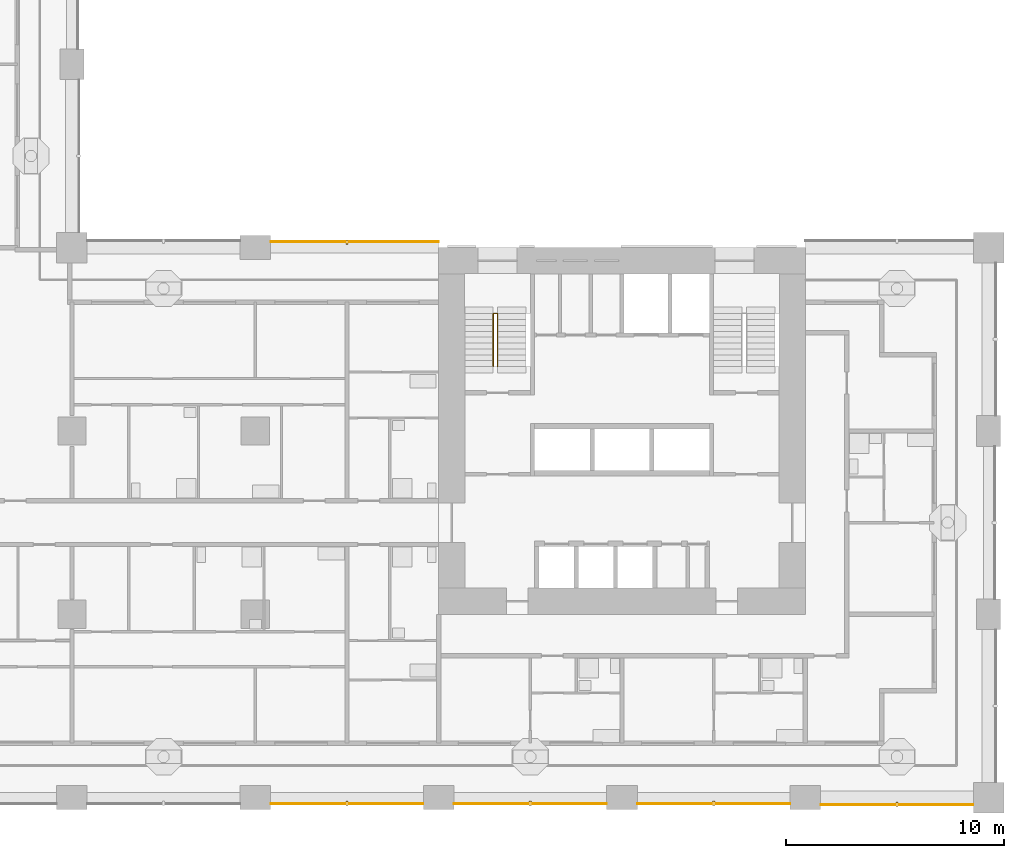
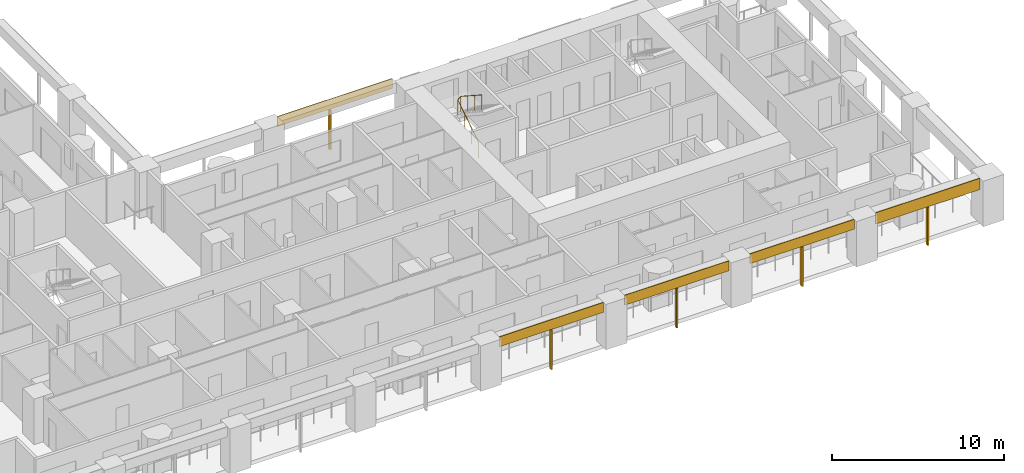
# One storey, part 13 of 22: 10 shading devices, 1 railing.
"""IFC4 building model written with IfcOpenShell, lengths in metres."""

import ifcopenshell
import ifcopenshell.guid

model = None  # the IFC model being written
_history = None  # IfcOwnerHistory: only IFC2X3 demands one
_inside = {}  # id of a spatial element -> (the spatial element, [elements in it])
_under = {}  # id of a project, library or spatial element -> (it, [spatial elements below it])
_declared = {}  # id of a project -> (the project, [libraries it declares])
_typed = {}  # id of a type object -> (the type object, [elements of that type])
_made_of = {}  # id of a material, layer set ... -> (it, [elements and type objects made of it])


def new_model(schema):
    """Start an empty IFC model of exactly this schema.

    Asked for "IFC4X3", IfcOpenShell would pick the latest addendum, in which some entities
    have other attributes; the version numbers below select the first issue.
    IFC2X3 requires an IfcOwnerHistory on every rooted entity: one is made here for all.
    """
    global model, _history
    if schema == "IFC4X3":
        model = ifcopenshell.file(schema_version=(4, 3, 0, 0))
    else:
        model = ifcopenshell.file(schema=schema)
    _inside.clear()
    _under.clear()
    _declared.clear()
    _typed.clear()
    _made_of.clear()
    _history = None
    if model.schema == "IFC2X3":
        org = make("IfcOrganization", Name="unknown")
        user = make(
            "IfcPersonAndOrganization",
            ThePerson=make("IfcPerson", FamilyName="unknown"),
            TheOrganization=org,
        )
        app = make(
            "IfcApplication",
            ApplicationDeveloper=org,
            Version="unknown",
            ApplicationFullName="unknown",
            ApplicationIdentifier="unknown",
        )
        _history = make(
            "IfcOwnerHistory",
            OwningUser=user,
            OwningApplication=app,
            ChangeAction="ADDED",
            CreationDate=0,
        )
    return model


def make(cls, **values):
    """One entity of the class cls with the attributes given. An attribute that is None is left unset."""
    return model.create_entity(
        cls, **{name: value for name, value in values.items() if value is not None}
    )


def rooted(cls, **values):
    """An entity with a GlobalId (a new one), such as an element, a storey or a relation."""
    return make(cls, GlobalId=ifcopenshell.guid.new(), OwnerHistory=_history, **values)


def si_unit(unit_type, name, prefix=None):
    """IfcSIUnit, for example si_unit("LENGTHUNIT", "METRE", prefix="MILLI")."""
    return make("IfcSIUnit", UnitType=unit_type, Prefix=prefix, Name=name)


def assignment(units):
    """IfcUnitAssignment: the units of a project."""
    return None if units is None else make("IfcUnitAssignment", Units=units)


def point(xyz):
    """IfcCartesianPoint."""
    return None if xyz is None else make("IfcCartesianPoint", Coordinates=xyz)


def direction(xyz):
    """IfcDirection."""
    return None if xyz is None else make("IfcDirection", DirectionRatios=xyz)


def frame(location, z_axis=None, x_axis=None):
    """IfcAxis2Placement3D, a coordinate frame: its origin and axes. An axis left out is left unset."""
    return make(
        "IfcAxis2Placement3D",
        Location=point(location),
        Axis=direction(z_axis),
        RefDirection=direction(x_axis),
    )


def frame_2d(location, x_axis=None):
    """IfcAxis2Placement2D, a coordinate frame in the plane: its origin and x axis."""
    return make(
        "IfcAxis2Placement2D", Location=point(location), RefDirection=direction(x_axis)
    )


def origin():
    """The frame at (0, 0, 0) with its axes left unset."""
    return frame((0.0, 0.0, 0.0))


def origin_2d():
    """The frame at (0, 0) in the plane with its x axis left unset."""
    return frame_2d((0.0, 0.0))


def place(relative_to, where):
    """IfcLocalPlacement: puts the frame where relative to a parent placement (None: the world)."""
    return make(
        "IfcLocalPlacement", PlacementRelTo=relative_to, RelativePlacement=where
    )


def context(
    kind, dimensions, precision=None, world=None, true_north=None, identifier=None
):
    """IfcGeometricRepresentationContext, for example the 3D "Model" context."""
    return make(
        "IfcGeometricRepresentationContext",
        ContextIdentifier=identifier,
        ContextType=kind,
        CoordinateSpaceDimension=dimensions,
        Precision=precision,
        WorldCoordinateSystem=world,
        TrueNorth=true_north,
    )


def subcontext(parent, identifier, kind, view, scale=None):
    """IfcGeometricRepresentationSubContext, for example "Body" below "Model"."""
    return make(
        "IfcGeometricRepresentationSubContext",
        ContextIdentifier=identifier,
        ContextType=kind,
        ParentContext=parent,
        TargetScale=scale,
        TargetView=view,
    )


def project(units=None, contexts=None):
    """IfcProject with its units and contexts."""
    return rooted(
        "IfcProject",
        Name="project",
        RepresentationContexts=contexts,
        UnitsInContext=assignment(units),
    )


def spatial(cls, under=None, at=None, **own):
    """A site, building, storey or space (cls), placed at a placement, below another one or the project."""
    s = rooted(cls, ObjectPlacement=at, **own)
    if under is not None:
        _under.setdefault(under.id(), (under, []))[1].append(s)
    return s


def profile(cls, at=None, kind="AREA", **sizes):
    """A parametric profile (cls). Its sizes go by their IFC names, for example OverallWidth=200.0."""
    return make(cls, ProfileType=kind, Position=at, **sizes)


def rectangle(**sizes):
    """IfcRectangleProfileDef."""
    return profile("IfcRectangleProfileDef", **sizes)


def circle(**sizes):
    """IfcCircleProfileDef."""
    return profile("IfcCircleProfileDef", **sizes)


def extrude(swept, where, along, depth):
    """IfcExtrudedAreaSolid: the profile swept, set in the frame where, extruded along a direction by depth."""
    return make(
        "IfcExtrudedAreaSolid",
        SweptArea=swept,
        Position=where,
        ExtrudedDirection=direction(along),
        Depth=depth,
    )


def shape(context_of_items, identifier, shape_type, items):
    """IfcShapeRepresentation: the items that make up one representation, for example the "Body"."""
    return make(
        "IfcShapeRepresentation",
        ContextOfItems=context_of_items,
        RepresentationIdentifier=identifier,
        RepresentationType=shape_type,
        Items=items,
    )


def material(Name=None, Category=None):
    """IfcMaterial."""
    return make("IfcMaterial", Name=Name, Category=Category)


def layer(
    of_material, thickness, ventilated=None, Name=None, Category=None, Priority=None
):
    """IfcMaterialLayer: one layer of a wall or slab, of a material (None: an air gap)."""
    return make(
        "IfcMaterialLayer",
        Material=of_material,
        LayerThickness=thickness,
        IsVentilated=ventilated,
        Name=Name,
        Category=Category,
        Priority=Priority,
    )


def layer_set(layers, Name=None):
    """IfcMaterialLayerSet."""
    return make("IfcMaterialLayerSet", MaterialLayers=layers, LayerSetName=Name)


def material_profile(
    of_material, cross_section, Name=None, Category=None, Priority=None
):
    """IfcMaterialProfile: a cross section and its material."""
    return make(
        "IfcMaterialProfile",
        Name=Name,
        Material=of_material,
        Profile=cross_section,
        Priority=Priority,
        Category=Category,
    )


def profile_set(profiles, Name=None, composite=None):
    """IfcMaterialProfileSet."""
    return make(
        "IfcMaterialProfileSet",
        Name=Name,
        MaterialProfiles=profiles,
        CompositeProfile=composite,
    )


def made_of(thing, what):
    """Note that an element or type object is made of a material, layer set ...; save() writes the relation."""
    if what is not None:
        _made_of.setdefault(what.id(), (what, []))[1].append(thing)
    return thing


def type_object(cls, material=None, **own):
    """A type object (cls), such as IfcWallType, which elements share."""
    return made_of(rooted(cls, **own), material)


def element(
    cls,
    number,
    at=None,
    inside=None,
    cuts=None,
    type_object=None,
    material=None,
    context=None,
    identifier="Body",
    shape_type=None,
    held_by="IfcProductDefinitionShape",
    body=None,
    shapes=None,
    **own,
):
    """One element of the class cls, such as IfcWall. Its Tag is "e" and its number.

    at: its placement. inside: the storey or other place that contains it. cuts: it is an
    opening in that element (IfcRelVoidsElement). A single representation is given by context,
    identifier, shape_type and body (its items); several are given by shapes. held_by: the class
    of the entity that holds the representations. save() writes the other relations.
    """
    e = rooted(cls, Tag="e%d" % number, ObjectPlacement=at, **own)
    if body is not None:
        shapes = [shape(context, identifier, shape_type, body)]
    if shapes is not None:
        e.Representation = make(held_by, Representations=shapes)
    if inside is not None:
        _inside.setdefault(inside.id(), (inside, []))[1].append(e)
    if cuts is not None:
        rooted(
            "IfcRelVoidsElement", RelatingBuildingElement=cuts, RelatedOpeningElement=e
        )
    if type_object is not None:
        _typed.setdefault(type_object.id(), (type_object, []))[1].append(e)
    return made_of(e, material)


def aggregate(whole, parts):
    """IfcRelAggregates: a whole, such as a stair, and the parts it consists of."""
    return rooted("IfcRelAggregates", RelatingObject=whole, RelatedObjects=parts)


def save(model, path):
    """Write the relations noted so far, then the file.

    IfcRelAggregates (storeys below a building ...), IfcRelContainedInSpatialStructure (elements
    in a storey), IfcRelDefinesByType, IfcRelAssociatesMaterial and IfcRelDeclares: one each for
    every whole, place, type object, material and project.
    """
    for whole, parts in _under.values():
        aggregate(whole, parts)
    for where, things in _inside.values():
        rooted(
            "IfcRelContainedInSpatialStructure",
            RelatedElements=things,
            RelatingStructure=where,
        )
    for kind, things in _typed.values():
        rooted("IfcRelDefinesByType", RelatedObjects=things, RelatingType=kind)
    for what, things in _made_of.values():
        rooted("IfcRelAssociatesMaterial", RelatedObjects=things, RelatingMaterial=what)
    for by, libraries in _declared.values():
        rooted("IfcRelDeclares", RelatingContext=by, RelatedDefinitions=libraries)
    model.write(path)


model = new_model("IFC4")

# Units and contexts
model_context = context("Model", 3, precision=1e-05, world=origin(), true_north=direction((0.0, 1.0)))
body_context = subcontext(model_context, "Body", "Model", "MODEL_VIEW")
ifc_project = project(units=[si_unit("LENGTHUNIT", "METRE"), si_unit("AREAUNIT", "SQUARE_METRE"), si_unit("VOLUMEUNIT", "CUBIC_METRE"), si_unit("PLANEANGLEUNIT", "RADIAN"), si_unit("MASSUNIT", "GRAM", prefix="KILO")], contexts=[model_context])

# Site, building, storey
site_placement = place(None, origin())
site = spatial("IfcSite", under=ifc_project, at=site_placement, CompositionType="ELEMENT")
building_placement = place(site_placement, origin())
building = spatial("IfcBuilding", under=site, at=building_placement, Name="Vermilion Gate Residences", CompositionType="ELEMENT")
storey_placement = place(building_placement, frame((0.0, 0.0, 63.699951171875)))
storey = spatial("IfcBuildingStorey", under=building, at=storey_placement, Name="L15", CompositionType="ELEMENT", Elevation=63.699951171875)

# Shading devices
ifc_material_1 = material(Name="Perforated terracotta", Category="masonry")
ifc_layer = layer(ifc_material_1, 0.0400390625)
ifc_layer_set = layer_set([ifc_layer], Name="PERFORATED TERRACOTTA SCREEN 40")
shading_device_type_1 = type_object("IfcShadingDeviceType", Name="PERFORATED TERRACOTTA SCREEN 40", PredefinedType="SHUTTER", material=ifc_layer_set)
for number, where, z_axis, x_axis, name in (
    (1, (37.800048828125, -0.27001953125, 2.52001953125), (0.0, 0.0, 1.0), (1.0, 0.0, 0.0), "SCREEN"),
    (2, (46.199951171875, -0.27001953125, 2.52001953125), (0.0, 0.0, 1.0), (1.0, 0.0, 0.0), "SCREEN"),
    (3, (54.60009765625, -0.27001953125, 2.52001953125), (0.0, 0.0, 1.0), (1.0, 0.0, 0.0), "SCREEN"),
):
    element("IfcShadingDevice", number, at=place(storey_placement, frame(where, z_axis=z_axis, x_axis=x_axis)), inside=storey, type_object=shading_device_type_1, Name=name, PredefinedType="SHUTTER", context=body_context, shape_type="SweptSolid", body=[
        extrude(rectangle(XDim=7.0, YDim=0.0400390625, at=origin_2d()), origin(), (0.0, 0.0, 1.0), 0.699951171875),
    ])
shading_device_1_placement = place(storey_placement, frame((63.0, -0.320068359375, 2.419921875), z_axis=(0.0, 0.0, 1.0), x_axis=(1.0, 0.0, 0.0)))
element("IfcShadingDevice", 4, at=shading_device_1_placement, inside=storey, type_object=shading_device_type_1, Name="SCREEN", PredefinedType="SHUTTER", context=body_context, shape_type="SweptSolid", body=[
    extrude(rectangle(XDim=7.0, YDim=0.0400390625, at=origin_2d()), origin(), (0.0, 0.0, 1.0), 0.800048828125),
])
shading_device_2_placement = place(storey_placement, frame((38.14990234375, 25.469970703125, 2.52001953125), z_axis=(0.0, 0.0, 1.0), x_axis=(-1.0, 0.0, 0.0)))
element("IfcShadingDevice", 5, at=shading_device_2_placement, inside=storey, type_object=shading_device_type_1, Name="SCREEN", PredefinedType="SHUTTER", context=body_context, shape_type="SweptSolid", body=[
    extrude(rectangle(XDim=7.699951171875, YDim=0.0400390625, at=origin_2d()), origin(), (0.0, 0.0, 1.0), 0.699951171875),
])

# Railing
ifc_material_2 = material(Name="Steel S355", Category="steel")
railing_type = type_object("IfcRailingType", Name="STAIR GUARD 1100 STEEL", PredefinedType="GUARDRAIL", material=ifc_material_2)
railing_placement = place(storey_placement, frame((44.5, 19.75, 0.175048828125)))
element("IfcRailing", 6, at=railing_placement, inside=storey, type_object=railing_type, Name="Stair well guard STA1-15", PredefinedType="GUARDRAIL", context=body_context, shape_type="SweptSolid", body=[
    extrude(circle(Radius=0.02392578125, at=origin_2d()), frame((0.0, 0.0, 1.076171875), z_axis=(0.0, 0.839153699163, 0.543894354798), x_axis=(-1.0, 0.0, 0.0)), (0.0, 0.0, 1.0), 2.895751953125),
    extrude(circle(Radius=0.02392578125, at=origin_2d()), frame((0.0, 2.429931640625, 2.65087890625), z_axis=(0.752405939678, 0.0, 0.658699705433), x_axis=(0.0, 1.0, 0.0)), (0.0, 0.0, 1.0), 0.265869140625),
    extrude(circle(Radius=0.02392578125, at=origin_2d()), frame((0.199951171875, 2.429931640625, 2.826171875), z_axis=(0.0, -0.839153699163, 0.543894354798), x_axis=(1.0, 0.0, 0.0)), (0.0, 0.0, 1.0), 2.895751953125),
    extrude(circle(Radius=0.02099609375, at=origin_2d()), origin(), (0.0, 0.0, 1.0), 1.052001953125),
    extrude(circle(Radius=0.02099609375, at=origin_2d()), frame((0.0, 0.81005859375, 0.52490234375)), (0.0, 0.0, 1.0), 1.052001953125),
    extrude(circle(Radius=0.02099609375, at=origin_2d()), frame((0.0, 1.619873046875, 1.050048828125)), (0.0, 0.0, 1.0), 1.052001953125),
    extrude(circle(Radius=0.02099609375, at=origin_2d()), frame((0.0, 2.429931640625, 1.574951171875)), (0.0, 0.0, 1.0), 1.052001953125),
    extrude(circle(Radius=0.02099609375, at=origin_2d()), frame((0.199951171875, 2.429931640625, 1.75)), (0.0, 0.0, 1.0), 1.052001953125),
    extrude(circle(Radius=0.02099609375, at=origin_2d()), frame((0.199951171875, 1.619873046875, 2.27490234375)), (0.0, 0.0, 1.0), 1.052001953125),
    extrude(circle(Radius=0.02099609375, at=origin_2d()), frame((0.199951171875, 0.81005859375, 2.800048828125)), (0.0, 0.0, 1.0), 1.052001953125),
    extrude(circle(Radius=0.02099609375, at=origin_2d()), frame((0.199951171875, 0.0, 3.324951171875)), (0.0, 0.0, 1.0), 1.052001953125),
])

# Shading devices
ifc_material_3 = material(Name="Extruded terracotta", Category="masonry")
ifc_material_profile = material_profile(ifc_material_3, rectangle(XDim=0.199951171875, YDim=0.10009765625, at=origin_2d()), Name="BAGUETTE 100 X 200")
ifc_profile_set = profile_set([ifc_material_profile], Name="Extruded terracotta")
shading_device_type_2 = type_object("IfcShadingDeviceType", Name="TERRACOTTA BAGUETTE 100 X 200", PredefinedType="JALOUSIE", material=ifc_profile_set)
for number, where, z_axis, x_axis, name in (
    (7, (37.800048828125, -0.25, -0.280029296875), (0.0, 0.0, 1.0), (0.0, 1.0, 0.0), "BAGUETTE"),
    (8, (46.199951171875, -0.25, -0.280029296875), (0.0, 0.0, 1.0), (0.0, 1.0, 0.0), "BAGUETTE"),
    (9, (54.60009765625, -0.25, -0.280029296875), (0.0, 0.0, 1.0), (0.0, 1.0, 0.0), "BAGUETTE"),
):
    element("IfcShadingDevice", number, at=place(storey_placement, frame(where, z_axis=z_axis, x_axis=x_axis)), inside=storey, type_object=shading_device_type_2, Name=name, PredefinedType="JALOUSIE", context=body_context, shape_type="SweptSolid", body=[
        extrude(rectangle(XDim=0.199951171875, YDim=0.10009765625, at=origin_2d()), origin(), (0.0, 0.0, 1.0), 2.800048828125),
    ])
shading_device_3_placement = place(storey_placement, frame((63.0, -0.300048828125, -0.280029296875), z_axis=(0.0, 0.0, 1.0), x_axis=(0.0, 1.0, 0.0)))
element("IfcShadingDevice", 10, at=shading_device_3_placement, inside=storey, type_object=shading_device_type_2, Name="BAGUETTE", PredefinedType="JALOUSIE", context=body_context, shape_type="SweptSolid", body=[
    extrude(rectangle(XDim=0.199951171875, YDim=0.10009765625, at=origin_2d()), origin(), (0.0, 0.0, 1.0), 2.7001953125),
])
shading_device_4_placement = place(storey_placement, frame((37.800048828125, 25.449951171875, -0.280029296875), z_axis=(0.0, 0.0, 1.0), x_axis=(0.0, -1.0, 0.0)))
element("IfcShadingDevice", 11, at=shading_device_4_placement, inside=storey, type_object=shading_device_type_2, Name="BAGUETTE", PredefinedType="JALOUSIE", context=body_context, shape_type="SweptSolid", body=[
    extrude(rectangle(XDim=0.199951171875, YDim=0.10009765625, at=origin_2d()), origin(), (0.0, 0.0, 1.0), 2.800048828125),
])

save(model, "model.ifc")
